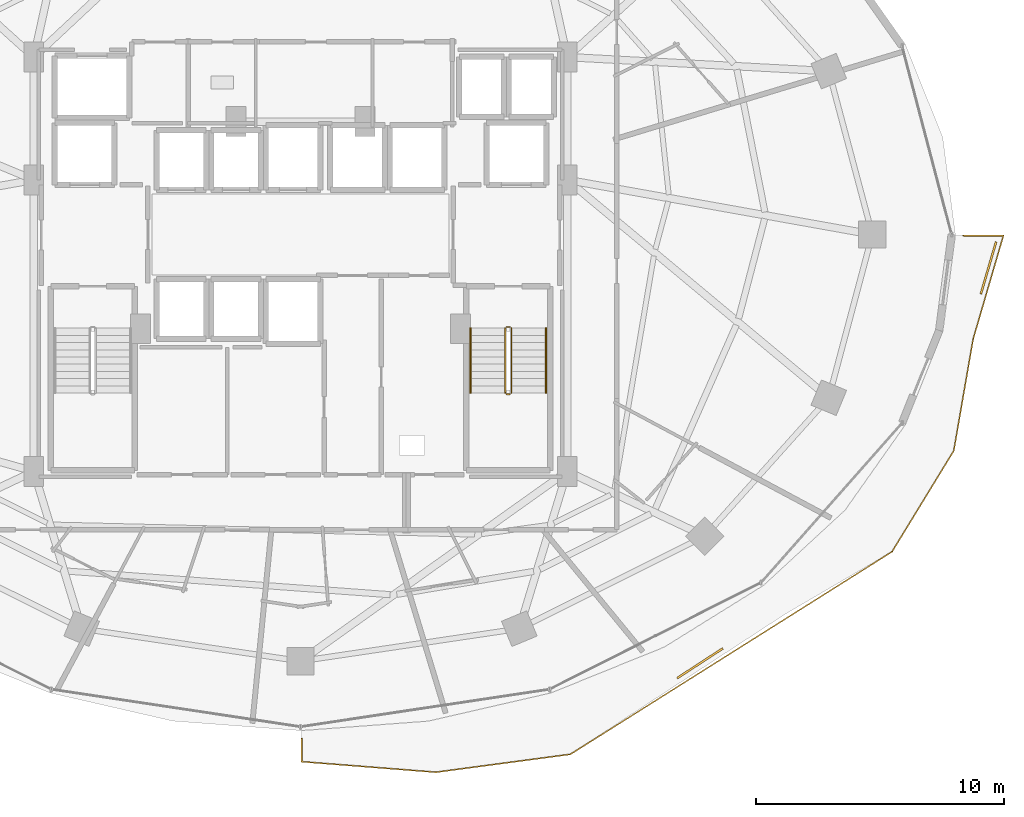
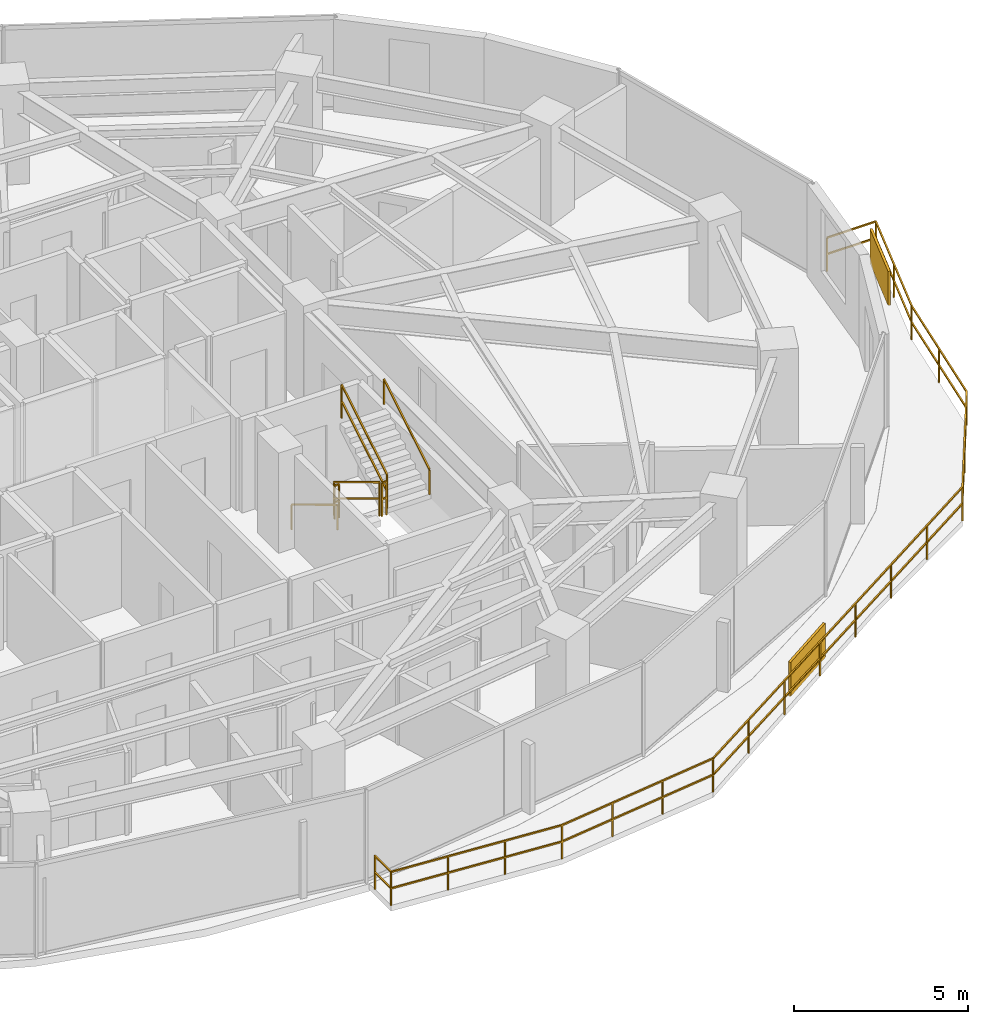
# One storey, part 27 of 29: 8 railings, 2 shading devices.
"""IFC4 building model written with IfcOpenShell, lengths in metres."""

import ifcopenshell
import ifcopenshell.guid

model = None  # the IFC model being written
_history = None  # IfcOwnerHistory: only IFC2X3 demands one
_inside = {}  # id of a spatial element -> (the spatial element, [elements in it])
_under = {}  # id of a project, library or spatial element -> (it, [spatial elements below it])
_declared = {}  # id of a project -> (the project, [libraries it declares])
_typed = {}  # id of a type object -> (the type object, [elements of that type])
_made_of = {}  # id of a material, layer set ... -> (it, [elements and type objects made of it])


def new_model(schema):
    """Start an empty IFC model of exactly this schema.

    Asked for "IFC4X3", IfcOpenShell would pick the latest addendum, in which some entities
    have other attributes; the version numbers below select the first issue.
    IFC2X3 requires an IfcOwnerHistory on every rooted entity: one is made here for all.
    """
    global model, _history
    if schema == "IFC4X3":
        model = ifcopenshell.file(schema_version=(4, 3, 0, 0))
    else:
        model = ifcopenshell.file(schema=schema)
    _inside.clear()
    _under.clear()
    _declared.clear()
    _typed.clear()
    _made_of.clear()
    _history = None
    if model.schema == "IFC2X3":
        org = make("IfcOrganization", Name="unknown")
        user = make(
            "IfcPersonAndOrganization",
            ThePerson=make("IfcPerson", FamilyName="unknown"),
            TheOrganization=org,
        )
        app = make(
            "IfcApplication",
            ApplicationDeveloper=org,
            Version="unknown",
            ApplicationFullName="unknown",
            ApplicationIdentifier="unknown",
        )
        _history = make(
            "IfcOwnerHistory",
            OwningUser=user,
            OwningApplication=app,
            ChangeAction="ADDED",
            CreationDate=0,
        )
    return model


def make(cls, **values):
    """One entity of the class cls with the attributes given. An attribute that is None is left unset."""
    return model.create_entity(
        cls, **{name: value for name, value in values.items() if value is not None}
    )


def rooted(cls, **values):
    """An entity with a GlobalId (a new one), such as an element, a storey or a relation."""
    return make(cls, GlobalId=ifcopenshell.guid.new(), OwnerHistory=_history, **values)


def si_unit(unit_type, name, prefix=None):
    """IfcSIUnit, for example si_unit("LENGTHUNIT", "METRE", prefix="MILLI")."""
    return make("IfcSIUnit", UnitType=unit_type, Prefix=prefix, Name=name)


def assignment(units):
    """IfcUnitAssignment: the units of a project."""
    return None if units is None else make("IfcUnitAssignment", Units=units)


def point(xyz):
    """IfcCartesianPoint."""
    return None if xyz is None else make("IfcCartesianPoint", Coordinates=xyz)


def direction(xyz):
    """IfcDirection."""
    return None if xyz is None else make("IfcDirection", DirectionRatios=xyz)


def frame(location, z_axis=None, x_axis=None):
    """IfcAxis2Placement3D, a coordinate frame: its origin and axes. An axis left out is left unset."""
    return make(
        "IfcAxis2Placement3D",
        Location=point(location),
        Axis=direction(z_axis),
        RefDirection=direction(x_axis),
    )


def frame_2d(location, x_axis=None):
    """IfcAxis2Placement2D, a coordinate frame in the plane: its origin and x axis."""
    return make(
        "IfcAxis2Placement2D", Location=point(location), RefDirection=direction(x_axis)
    )


def origin():
    """The frame at (0, 0, 0) with its axes left unset."""
    return frame((0.0, 0.0, 0.0))


def origin_2d():
    """The frame at (0, 0) in the plane with its x axis left unset."""
    return frame_2d((0.0, 0.0))


def place(relative_to, where):
    """IfcLocalPlacement: puts the frame where relative to a parent placement (None: the world)."""
    return make(
        "IfcLocalPlacement", PlacementRelTo=relative_to, RelativePlacement=where
    )


def context(
    kind, dimensions, precision=None, world=None, true_north=None, identifier=None
):
    """IfcGeometricRepresentationContext, for example the 3D "Model" context."""
    return make(
        "IfcGeometricRepresentationContext",
        ContextIdentifier=identifier,
        ContextType=kind,
        CoordinateSpaceDimension=dimensions,
        Precision=precision,
        WorldCoordinateSystem=world,
        TrueNorth=true_north,
    )


def subcontext(parent, identifier, kind, view, scale=None):
    """IfcGeometricRepresentationSubContext, for example "Body" below "Model"."""
    return make(
        "IfcGeometricRepresentationSubContext",
        ContextIdentifier=identifier,
        ContextType=kind,
        ParentContext=parent,
        TargetScale=scale,
        TargetView=view,
    )


def project(units=None, contexts=None):
    """IfcProject with its units and contexts."""
    return rooted(
        "IfcProject",
        Name="project",
        RepresentationContexts=contexts,
        UnitsInContext=assignment(units),
    )


def spatial(cls, under=None, at=None, **own):
    """A site, building, storey or space (cls), placed at a placement, below another one or the project."""
    s = rooted(cls, ObjectPlacement=at, **own)
    if under is not None:
        _under.setdefault(under.id(), (under, []))[1].append(s)
    return s


def profile(cls, at=None, kind="AREA", **sizes):
    """A parametric profile (cls). Its sizes go by their IFC names, for example OverallWidth=200.0."""
    return make(cls, ProfileType=kind, Position=at, **sizes)


def rectangle(**sizes):
    """IfcRectangleProfileDef."""
    return profile("IfcRectangleProfileDef", **sizes)


def extrude(swept, where, along, depth):
    """IfcExtrudedAreaSolid: the profile swept, set in the frame where, extruded along a direction by depth."""
    return make(
        "IfcExtrudedAreaSolid",
        SweptArea=swept,
        Position=where,
        ExtrudedDirection=direction(along),
        Depth=depth,
    )


def shape(context_of_items, identifier, shape_type, items):
    """IfcShapeRepresentation: the items that make up one representation, for example the "Body"."""
    return make(
        "IfcShapeRepresentation",
        ContextOfItems=context_of_items,
        RepresentationIdentifier=identifier,
        RepresentationType=shape_type,
        Items=items,
    )


def material(Name=None, Category=None):
    """IfcMaterial."""
    return make("IfcMaterial", Name=Name, Category=Category)


def made_of(thing, what):
    """Note that an element or type object is made of a material, layer set ...; save() writes the relation."""
    if what is not None:
        _made_of.setdefault(what.id(), (what, []))[1].append(thing)
    return thing


def type_object(cls, material=None, **own):
    """A type object (cls), such as IfcWallType, which elements share."""
    return made_of(rooted(cls, **own), material)


def element(
    cls,
    number,
    at=None,
    inside=None,
    cuts=None,
    type_object=None,
    material=None,
    context=None,
    identifier="Body",
    shape_type=None,
    held_by="IfcProductDefinitionShape",
    body=None,
    shapes=None,
    **own,
):
    """One element of the class cls, such as IfcWall. Its Tag is "e" and its number.

    at: its placement. inside: the storey or other place that contains it. cuts: it is an
    opening in that element (IfcRelVoidsElement). A single representation is given by context,
    identifier, shape_type and body (its items); several are given by shapes. held_by: the class
    of the entity that holds the representations. save() writes the other relations.
    """
    e = rooted(cls, Tag="e%d" % number, ObjectPlacement=at, **own)
    if body is not None:
        shapes = [shape(context, identifier, shape_type, body)]
    if shapes is not None:
        e.Representation = make(held_by, Representations=shapes)
    if inside is not None:
        _inside.setdefault(inside.id(), (inside, []))[1].append(e)
    if cuts is not None:
        rooted(
            "IfcRelVoidsElement", RelatingBuildingElement=cuts, RelatedOpeningElement=e
        )
    if type_object is not None:
        _typed.setdefault(type_object.id(), (type_object, []))[1].append(e)
    return made_of(e, material)


def aggregate(whole, parts):
    """IfcRelAggregates: a whole, such as a stair, and the parts it consists of."""
    return rooted("IfcRelAggregates", RelatingObject=whole, RelatedObjects=parts)


def save(model, path):
    """Write the relations noted so far, then the file.

    IfcRelAggregates (storeys below a building ...), IfcRelContainedInSpatialStructure (elements
    in a storey), IfcRelDefinesByType, IfcRelAssociatesMaterial and IfcRelDeclares: one each for
    every whole, place, type object, material and project.
    """
    for whole, parts in _under.values():
        aggregate(whole, parts)
    for where, things in _inside.values():
        rooted(
            "IfcRelContainedInSpatialStructure",
            RelatedElements=things,
            RelatingStructure=where,
        )
    for kind, things in _typed.values():
        rooted("IfcRelDefinesByType", RelatedObjects=things, RelatingType=kind)
    for what, things in _made_of.values():
        rooted("IfcRelAssociatesMaterial", RelatedObjects=things, RelatingMaterial=what)
    for by, libraries in _declared.values():
        rooted("IfcRelDeclares", RelatingContext=by, RelatedDefinitions=libraries)
    model.write(path)


model = new_model("IFC4")

# Units and contexts
model_context = context("Model", 3, precision=1e-05, world=origin(), true_north=direction((0.0, 1.0)))
body_context = subcontext(model_context, "Body", "Model", "MODEL_VIEW")
ifc_project = project(units=[si_unit("LENGTHUNIT", "METRE"), si_unit("AREAUNIT", "SQUARE_METRE"), si_unit("VOLUMEUNIT", "CUBIC_METRE"), si_unit("PLANEANGLEUNIT", "RADIAN"), si_unit("MASSUNIT", "GRAM", prefix="KILO")], contexts=[model_context])

# Site, building, storey
site_placement = place(None, origin())
site = spatial("IfcSite", under=ifc_project, at=site_placement, CompositionType="ELEMENT")
building_placement = place(site_placement, origin())
building = spatial("IfcBuilding", under=site, at=building_placement, Name="Vorneva Point Tower", CompositionType="ELEMENT")
storey_placement = place(building_placement, frame((0.0, 0.0, 113.800048828125)))
storey = spatial("IfcBuildingStorey", under=building, at=storey_placement, Name="L30", CompositionType="ELEMENT", Elevation=113.800048828125)

# Railings
ifc_material_1 = material(Name="Pale anodised aluminium", Category="aluminium")
railing_type_1 = type_object("IfcRailingType", Name="RL-BAL-1200", PredefinedType="BALUSTRADE", material=ifc_material_1)
railing_1_placement = place(storey_placement, frame((65.11474609375, 21.77734375, 0.0)))
element("IfcRailing", 1, at=railing_1_placement, inside=storey, type_object=railing_type_1, Name="L30 Wave Balcony Balustrade SE.1", PredefinedType="BALUSTRADE", context=body_context, shape_type="SweptSolid", body=[
    extrude(rectangle(XDim=0.048095703125, YDim=0.048095703125, at=origin_2d()), frame((0.0, 0.0, 1.17578125), z_axis=(0.280782684117, 0.959771370848, 0.0), x_axis=(-0.959771370848, 0.280782684117, 0.0)), (0.0, 0.0, 1.0), 4.347412109375),
    extrude(rectangle(XDim=0.048095703125, YDim=0.048095703125, at=origin_2d()), frame((0.0, 0.0, 0.60009765625), z_axis=(0.280782684117, 0.959771370848, 0.0), x_axis=(-0.959771370848, 0.280782684117, 0.0)), (0.0, 0.0, 1.0), 4.347412109375),
    extrude(rectangle(XDim=0.048095703125, YDim=0.048095703125, at=origin_2d()), frame((1.220703125, 4.172607421875, 1.17578125), z_axis=(-1.0, 0.0, 0.0), x_axis=(0.0, -1.0, 0.0)), (0.0, 0.0, 1.0), 1.619140625),
    extrude(rectangle(XDim=0.048095703125, YDim=0.048095703125, at=origin_2d()), frame((1.220703125, 4.172607421875, 0.60009765625), z_axis=(-1.0, 0.0, 0.0), x_axis=(0.0, -1.0, 0.0)), (0.0, 0.0, 1.0), 1.619140625),
    extrude(rectangle(XDim=0.0419921875, YDim=0.0419921875, at=origin_2d()), origin(), (0.0, 0.0, 1.0), 1.15185546875),
    extrude(rectangle(XDim=0.0419921875, YDim=0.0419921875, at=origin_2d()), frame((0.6103515625, 2.08642578125, 0.0)), (0.0, 0.0, 1.0), 1.15185546875),
    extrude(rectangle(XDim=0.0419921875, YDim=0.0419921875, at=origin_2d()), frame((1.220703125, 4.172607421875, 0.0)), (0.0, 0.0, 1.0), 1.15185546875),
    extrude(rectangle(XDim=0.0419921875, YDim=0.0419921875, at=origin_2d()), frame((-0.3984375, 4.172607421875, 0.0)), (0.0, 0.0, 1.0), 1.15185546875),
])
railing_2_placement = place(storey_placement, frame((38.050048828125, 5.682861328125, 0.0)))
element("IfcRailing", 2, at=railing_2_placement, inside=storey, type_object=railing_type_1, Name="L30 Wave Balcony Balustrade SE.2", PredefinedType="BALUSTRADE", context=body_context, shape_type="SweptSolid", body=[
    extrude(rectangle(XDim=0.048095703125, YDim=0.048095703125, at=origin_2d()), frame((0.0, 0.0, 1.17578125), z_axis=(0.0, -1.0, 0.0), x_axis=(1.0, 0.0, 0.0)), (0.0, 0.0, 1.0), 0.936767578125),
    extrude(rectangle(XDim=0.048095703125, YDim=0.048095703125, at=origin_2d()), frame((0.0, 0.0, 0.60009765625), z_axis=(0.0, -1.0, 0.0), x_axis=(1.0, 0.0, 0.0)), (0.0, 0.0, 1.0), 0.936767578125),
    extrude(rectangle(XDim=0.048095703125, YDim=0.048095703125, at=origin_2d()), frame((0.0, -0.936767578125, 1.17578125), z_axis=(0.996929089546, -0.078309580622, 0.0), x_axis=(0.078309580622, 0.996929089546, 0.0)), (0.0, 0.0, 1.0), 5.427734375),
    extrude(rectangle(XDim=0.048095703125, YDim=0.048095703125, at=origin_2d()), frame((0.0, -0.936767578125, 0.60009765625), z_axis=(0.996929089546, -0.078309580622, 0.0), x_axis=(0.078309580622, 0.996929089546, 0.0)), (0.0, 0.0, 1.0), 5.427734375),
    extrude(rectangle(XDim=0.048095703125, YDim=0.048095703125, at=origin_2d()), frame((5.4111328125, -1.36181640625, 1.17578125), z_axis=(0.991196282711, 0.132400638746, 0.0), x_axis=(-0.132400638746, 0.991196282711, 0.0)), (0.0, 0.0, 1.0), 5.46728515625),
    extrude(rectangle(XDim=0.048095703125, YDim=0.048095703125, at=origin_2d()), frame((5.4111328125, -1.36181640625, 0.60009765625), z_axis=(0.991196282711, 0.132400638746, 0.0), x_axis=(-0.132400638746, 0.991196282711, 0.0)), (0.0, 0.0, 1.0), 5.46728515625),
    extrude(rectangle(XDim=0.048095703125, YDim=0.048095703125, at=origin_2d()), frame((10.830322265625, -0.637939453125, 1.17578125), z_axis=(0.846147977037, 0.532948028382, 0.0), x_axis=(-0.532948028382, 0.846147977037, 0.0)), (0.0, 0.0, 1.0), 15.327392578125),
    extrude(rectangle(XDim=0.048095703125, YDim=0.048095703125, at=origin_2d()), frame((10.830322265625, -0.637939453125, 0.60009765625), z_axis=(0.846147977037, 0.532948028382, 0.0), x_axis=(-0.532948028382, 0.846147977037, 0.0)), (0.0, 0.0, 1.0), 15.327392578125),
    extrude(rectangle(XDim=0.048095703125, YDim=0.048095703125, at=origin_2d()), frame((23.799560546875, 7.53076171875, 1.17578125), z_axis=(0.521518350517, 0.85324006591, 0.0), x_axis=(-0.85324006591, 0.521518350517, 0.0)), (0.0, 0.0, 1.0), 4.768310546875),
    extrude(rectangle(XDim=0.048095703125, YDim=0.048095703125, at=origin_2d()), frame((23.799560546875, 7.53076171875, 0.60009765625), z_axis=(0.521518350517, 0.85324006591, 0.0), x_axis=(-0.85324006591, 0.521518350517, 0.0)), (0.0, 0.0, 1.0), 4.768310546875),
    extrude(rectangle(XDim=0.048095703125, YDim=0.048095703125, at=origin_2d()), frame((26.286376953125, 11.599365234375, 1.17578125), z_axis=(0.170609380514, 0.985338743418, 0.0), x_axis=(-0.985338743418, 0.170609380514, 0.0)), (0.0, 0.0, 1.0), 4.56201171875),
    extrude(rectangle(XDim=0.048095703125, YDim=0.048095703125, at=origin_2d()), frame((26.286376953125, 11.599365234375, 0.60009765625), z_axis=(0.170609380514, 0.985338743418, 0.0), x_axis=(-0.985338743418, 0.170609380514, 0.0)), (0.0, 0.0, 1.0), 4.56201171875),
    extrude(rectangle(XDim=0.0419921875, YDim=0.0419921875, at=origin_2d()), origin(), (0.0, 0.0, 1.0), 1.15185546875),
    extrude(rectangle(XDim=0.0419921875, YDim=0.0419921875, at=origin_2d()), frame((0.0, -0.936767578125, 0.0)), (0.0, 0.0, 1.0), 1.15185546875),
    extrude(rectangle(XDim=0.0419921875, YDim=0.0419921875, at=origin_2d()), frame((1.8037109375, -1.078369140625, 0.0)), (0.0, 0.0, 1.0), 1.15185546875),
    extrude(rectangle(XDim=0.0419921875, YDim=0.0419921875, at=origin_2d()), frame((3.607421875, -1.22021484375, 0.0)), (0.0, 0.0, 1.0), 1.15185546875),
    extrude(rectangle(XDim=0.0419921875, YDim=0.0419921875, at=origin_2d()), frame((5.4111328125, -1.36181640625, 0.0)), (0.0, 0.0, 1.0), 1.15185546875),
    extrude(rectangle(XDim=0.0419921875, YDim=0.0419921875, at=origin_2d()), frame((7.217529296875, -1.12060546875, 0.0)), (0.0, 0.0, 1.0), 1.15185546875),
    extrude(rectangle(XDim=0.0419921875, YDim=0.0419921875, at=origin_2d()), frame((9.02392578125, -0.879150390625, 0.0)), (0.0, 0.0, 1.0), 1.15185546875),
    extrude(rectangle(XDim=0.0419921875, YDim=0.0419921875, at=origin_2d()), frame((10.830322265625, -0.637939453125, 0.0)), (0.0, 0.0, 1.0), 1.15185546875),
    extrude(rectangle(XDim=0.0419921875, YDim=0.0419921875, at=origin_2d()), frame((12.68310546875, 0.529052734375, 0.0)), (0.0, 0.0, 1.0), 1.15185546875),
    extrude(rectangle(XDim=0.0419921875, YDim=0.0419921875, at=origin_2d()), frame((14.535888671875, 1.696044921875, 0.0)), (0.0, 0.0, 1.0), 1.15185546875),
    extrude(rectangle(XDim=0.0419921875, YDim=0.0419921875, at=origin_2d()), frame((16.388671875, 2.863037109375, 0.0)), (0.0, 0.0, 1.0), 1.15185546875),
    extrude(rectangle(XDim=0.0419921875, YDim=0.0419921875, at=origin_2d()), frame((18.2412109375, 4.02978515625, 0.0)), (0.0, 0.0, 1.0), 1.15185546875),
    extrude(rectangle(XDim=0.0419921875, YDim=0.0419921875, at=origin_2d()), frame((20.093994140625, 5.19677734375, 0.0)), (0.0, 0.0, 1.0), 1.15185546875),
    extrude(rectangle(XDim=0.0419921875, YDim=0.0419921875, at=origin_2d()), frame((21.94677734375, 6.36376953125, 0.0)), (0.0, 0.0, 1.0), 1.15185546875),
    extrude(rectangle(XDim=0.0419921875, YDim=0.0419921875, at=origin_2d()), frame((23.799560546875, 7.53076171875, 0.0)), (0.0, 0.0, 1.0), 1.15185546875),
    extrude(rectangle(XDim=0.0419921875, YDim=0.0419921875, at=origin_2d()), frame((25.04296875, 9.56494140625, 0.0)), (0.0, 0.0, 1.0), 1.15185546875),
    extrude(rectangle(XDim=0.0419921875, YDim=0.0419921875, at=origin_2d()), frame((26.286376953125, 11.599365234375, 0.0)), (0.0, 0.0, 1.0), 1.15185546875),
    extrude(rectangle(XDim=0.0419921875, YDim=0.0419921875, at=origin_2d()), frame((26.675537109375, 13.846923828125, 0.0)), (0.0, 0.0, 1.0), 1.15185546875),
    extrude(rectangle(XDim=0.0419921875, YDim=0.0419921875, at=origin_2d()), frame((27.064697265625, 16.094482421875, 0.0)), (0.0, 0.0, 1.0), 1.15185546875),
])
ifc_material_2 = material(Name="Brushed stainless steel S304", Category="steel")
railing_type_2 = type_object("IfcRailingType", Name="RL-HND-920", PredefinedType="HANDRAIL", material=ifc_material_2)
railing_3_placement = place(storey_placement, frame((44.85009765625, 22.219970703125, 0.175048828125)))
element("IfcRailing", 3, at=railing_3_placement, inside=storey, type_object=railing_type_2, Name="L30 ST2 stair handrail 1", PredefinedType="HANDRAIL", context=body_context, shape_type="SweptSolid", body=[
    extrude(rectangle(XDim=0.048095703125, YDim=0.048095703125, at=origin_2d()), frame((0.0, 0.0, 0.8759765625), z_axis=(0.0, -0.85618277418, 0.516673066065), x_axis=(1.0, 0.0, 0.0)), (0.0, 0.0, 1.0), 3.04833984375),
    extrude(rectangle(XDim=0.0419921875, YDim=0.0419921875, at=origin_2d()), origin(), (0.0, 0.0, 1.0), 0.851806640625),
    extrude(rectangle(XDim=0.0419921875, YDim=0.0419921875, at=origin_2d()), frame((0.0, -2.60986328125, 1.574951171875)), (0.0, 0.0, 1.0), 0.851806640625),
])
railing_4_placement = place(storey_placement, frame((47.89990234375, 19.610107421875, 1.925048828125)))
element("IfcRailing", 4, at=railing_4_placement, inside=storey, type_object=railing_type_2, Name="L30 ST2 stair handrail 2", PredefinedType="HANDRAIL", context=body_context, shape_type="SweptSolid", body=[
    extrude(rectangle(XDim=0.048095703125, YDim=0.048095703125, at=origin_2d()), frame((0.0, 0.0, 0.8759765625), z_axis=(0.0, 0.85618277418, 0.516673066065), x_axis=(-1.0, 0.0, 0.0)), (0.0, 0.0, 1.0), 3.04833984375),
    extrude(rectangle(XDim=0.0419921875, YDim=0.0419921875, at=origin_2d()), origin(), (0.0, 0.0, 1.0), 0.851806640625),
    extrude(rectangle(XDim=0.0419921875, YDim=0.0419921875, at=origin_2d()), frame((0.0, 2.60986328125, 1.574951171875)), (0.0, 0.0, 1.0), 0.851806640625),
])
railing_type_3 = type_object("IfcRailingType", Name="RL-STG-1100", PredefinedType="GUARDRAIL", material=ifc_material_2)
railing_5_placement = place(storey_placement, frame((46.25, 22.219970703125, 0.175048828125)))
element("IfcRailing", 5, at=railing_5_placement, inside=storey, type_object=railing_type_3, Name="L30 ST2 stair guard 1", PredefinedType="GUARDRAIL", context=body_context, shape_type="SweptSolid", body=[
    extrude(rectangle(XDim=0.048095703125, YDim=0.048095703125, at=origin_2d()), frame((0.0, 0.0, 1.17578125), z_axis=(0.0, -0.85618277418, 0.516673066065), x_axis=(1.0, 0.0, 0.0)), (0.0, 0.0, 1.0), 3.04833984375),
    extrude(rectangle(XDim=0.048095703125, YDim=0.048095703125, at=origin_2d()), frame((0.0, 0.0, 0.60009765625), z_axis=(0.0, -0.85618277418, 0.516673066065), x_axis=(1.0, 0.0, 0.0)), (0.0, 0.0, 1.0), 3.04833984375),
    extrude(rectangle(XDim=0.0419921875, YDim=0.0419921875, at=origin_2d()), origin(), (0.0, 0.0, 1.0), 1.15185546875),
    extrude(rectangle(XDim=0.0419921875, YDim=0.0419921875, at=origin_2d()), frame((0.0, -2.60986328125, 1.574951171875)), (0.0, 0.0, 1.0), 1.15185546875),
])
railing_6_placement = place(storey_placement, frame((46.300048828125, 19.56005859375, 1.75)))
element("IfcRailing", 6, at=railing_6_placement, inside=storey, type_object=railing_type_3, Name="L30 ST2 stair guard 2", PredefinedType="GUARDRAIL", context=body_context, shape_type="SweptSolid", body=[
    extrude(rectangle(XDim=0.048095703125, YDim=0.048095703125, at=origin_2d()), frame((0.0, 0.0, 1.17578125), z_axis=(1.0, 0.0, 0.0), x_axis=(0.0, 1.0, 0.0)), (0.0, 0.0, 1.0), 0.14990234375),
    extrude(rectangle(XDim=0.048095703125, YDim=0.048095703125, at=origin_2d()), frame((0.0, 0.0, 0.60009765625), z_axis=(1.0, 0.0, 0.0), x_axis=(0.0, 1.0, 0.0)), (0.0, 0.0, 1.0), 0.14990234375),
    extrude(rectangle(XDim=0.0419921875, YDim=0.0419921875, at=origin_2d()), origin(), (0.0, 0.0, 1.0), 1.15185546875),
    extrude(rectangle(XDim=0.0419921875, YDim=0.0419921875, at=origin_2d()), frame((0.14990234375, 0.0, 0.0)), (0.0, 0.0, 1.0), 1.15185546875),
])
railing_7_placement = place(storey_placement, frame((46.5, 19.610107421875, 1.925048828125)))
element("IfcRailing", 7, at=railing_7_placement, inside=storey, type_object=railing_type_3, Name="L30 ST2 stair guard 3", PredefinedType="GUARDRAIL", context=body_context, shape_type="SweptSolid", body=[
    extrude(rectangle(XDim=0.048095703125, YDim=0.048095703125, at=origin_2d()), frame((0.0, 0.0, 1.17578125), z_axis=(0.0, 0.85618277418, 0.516673066065), x_axis=(-1.0, 0.0, 0.0)), (0.0, 0.0, 1.0), 3.04833984375),
    extrude(rectangle(XDim=0.048095703125, YDim=0.048095703125, at=origin_2d()), frame((0.0, 0.0, 0.60009765625), z_axis=(0.0, 0.85618277418, 0.516673066065), x_axis=(-1.0, 0.0, 0.0)), (0.0, 0.0, 1.0), 3.04833984375),
    extrude(rectangle(XDim=0.0419921875, YDim=0.0419921875, at=origin_2d()), origin(), (0.0, 0.0, 1.0), 1.15185546875),
    extrude(rectangle(XDim=0.0419921875, YDim=0.0419921875, at=origin_2d()), frame((0.0, 2.60986328125, 1.574951171875)), (0.0, 0.0, 1.0), 1.15185546875),
])
railing_8_placement = place(storey_placement, frame((46.300048828125, 22.27001953125, 0.0)))
element("IfcRailing", 8, at=railing_8_placement, inside=storey, type_object=railing_type_3, Name="L30 ST2 stair guard 4", PredefinedType="GUARDRAIL", context=body_context, shape_type="SweptSolid", body=[
    extrude(rectangle(XDim=0.048095703125, YDim=0.048095703125, at=origin_2d()), frame((0.0, 0.0, 1.17578125), z_axis=(1.0, 0.0, 0.0), x_axis=(0.0, 1.0, 0.0)), (0.0, 0.0, 1.0), 0.14990234375),
    extrude(rectangle(XDim=0.048095703125, YDim=0.048095703125, at=origin_2d()), frame((0.0, 0.0, 0.60009765625), z_axis=(1.0, 0.0, 0.0), x_axis=(0.0, 1.0, 0.0)), (0.0, 0.0, 1.0), 0.14990234375),
    extrude(rectangle(XDim=0.0419921875, YDim=0.0419921875, at=origin_2d()), origin(), (0.0, 0.0, 1.0), 1.15185546875),
    extrude(rectangle(XDim=0.0419921875, YDim=0.0419921875, at=origin_2d()), frame((0.14990234375, 0.0, 0.0)), (0.0, 0.0, 1.0), 1.15185546875),
])

# Shading devices
shading_device_type = type_object("IfcShadingDeviceType", Name="SHD-JAL-1200", PredefinedType="JALOUSIE", material=ifc_material_1)
for number, where, z_axis, x_axis, name in (
    (9, (65.732666015625, 24.6513671875, -0.02001953125), (0.0, 0.0, 1.0), (0.280750466665, 0.95978079553, 0.0), "L30 Balcony Vertical-Greenery Planter Screen SE.1"),
    (10, (54.102294921875, 8.71240234375, -0.02001953125), (0.0, 0.0, 1.0), (0.837785429309, 0.54599961029, 0.0), "L30 Balcony Vertical-Greenery Planter Screen SE.2"),
):
    element("IfcShadingDevice", number, at=place(storey_placement, frame(where, z_axis=z_axis, x_axis=x_axis)), inside=storey, type_object=shading_device_type, Name=name, PredefinedType="JALOUSIE", context=body_context, shape_type="SweptSolid", body=[
        extrude(rectangle(XDim=2.199951171875, YDim=0.080078125, at=origin_2d()), origin(), (0.0, 0.0, 1.0), 1.199951171875),
    ])

save(model, "model.ifc")
